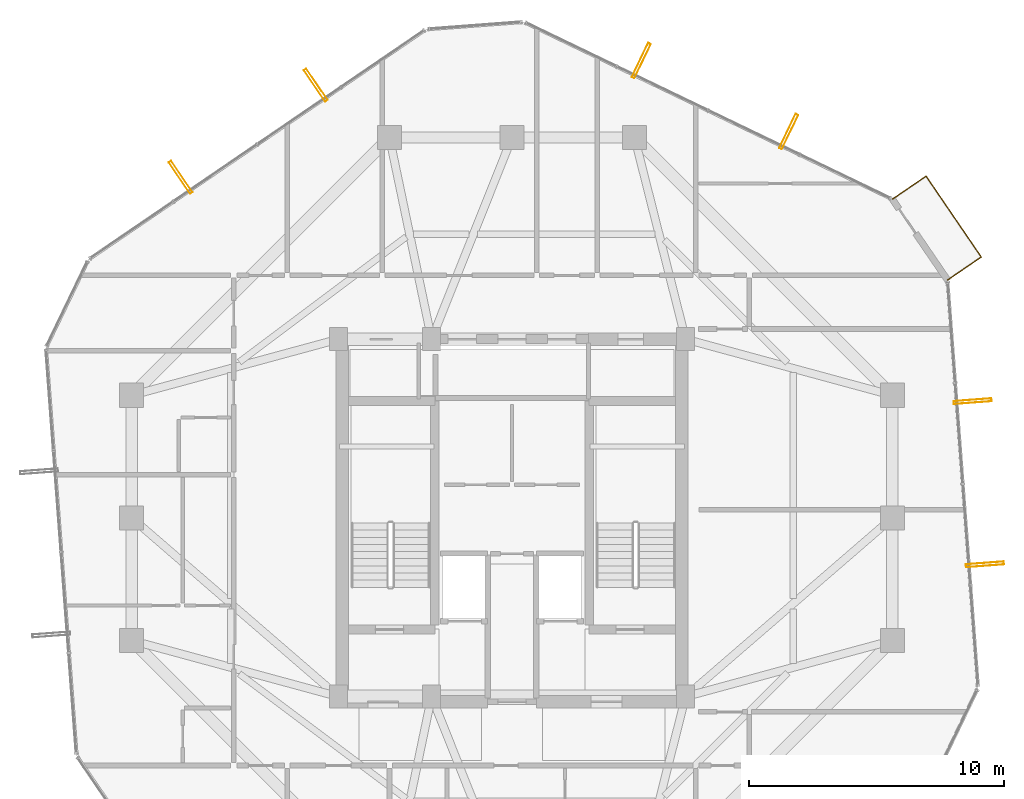
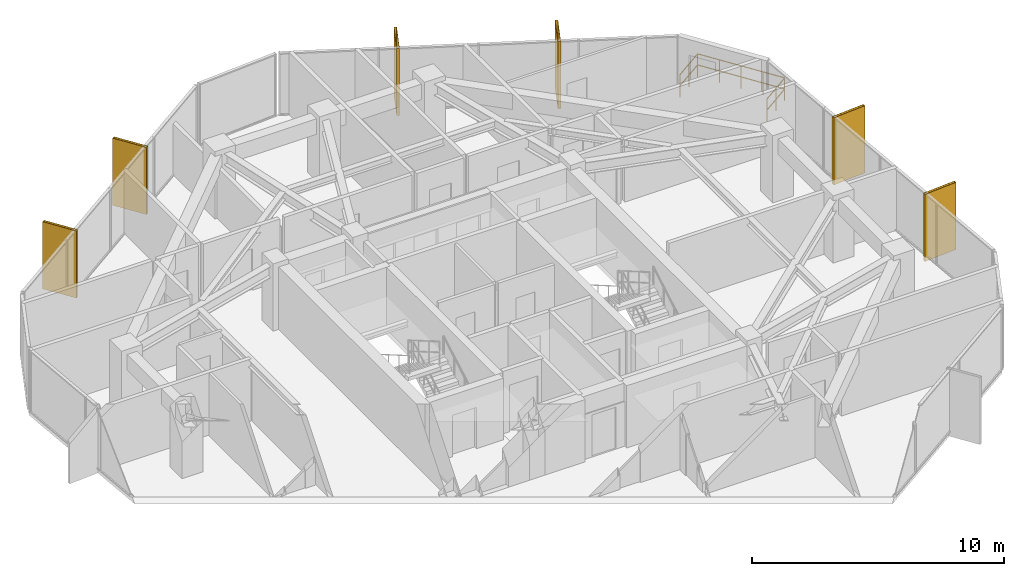
# One storey, part 34 of 34: 6 shading devices, 1 railing.
"""IFC4 building model written with IfcOpenShell, lengths in metres."""

from ifc_helpers import new_model, si_unit, direction, frame, origin, origin_2d, place, context, subcontext, project, spatial, hollow_rectangle, circle, extrude, material, material_profile, profile_set, type_object, element, save


model = new_model("IFC4")

# Units and contexts
model_context = context("Model", 3, precision=1e-05, world=origin(), true_north=direction((0.0, 1.0)))
body_context = subcontext(model_context, "Body", "Model", "MODEL_VIEW")
ifc_project = project(units=[si_unit("LENGTHUNIT", "METRE"), si_unit("AREAUNIT", "SQUARE_METRE"), si_unit("VOLUMEUNIT", "CUBIC_METRE"), si_unit("PLANEANGLEUNIT", "RADIAN"), si_unit("MASSUNIT", "GRAM", prefix="KILO")], contexts=[model_context])

# Site, building, storey
site_placement = place(None, origin())
site = spatial("IfcSite", under=ifc_project, at=site_placement, CompositionType="ELEMENT")
building_placement = place(site_placement, origin())
building = spatial("IfcBuilding", under=site, at=building_placement, Name="Veraguas Prism Commons", CompositionType="ELEMENT")
storey_placement = place(building_placement, frame((0.0, 0.0, 191.85009765625)))
storey = spatial("IfcBuildingStorey", under=building, at=storey_placement, Name="L54", CompositionType="ELEMENT", Elevation=191.85009765625)

# Shading devices
ifc_material_1 = material(Name="Anodised aluminium EN AW-6063 T6", Category="aluminium")
ifc_material_profile = material_profile(ifc_material_1, hollow_rectangle(XDim=0.1201171875, YDim=1.489990234375, WallThickness=0.006103515625, at=origin_2d()), Name="FIN120X1490X6")
ifc_profile_set = profile_set([ifc_material_profile], Name="Anodised aluminium EN AW-6063 T6")
shading_device_type = type_object("IfcShadingDeviceType", Name="Deep Pale-Metal Vertical Solar Fin 120x1490", PredefinedType="USERDEFINED", material=ifc_profile_set)
for number, where, z_axis, x_axis, name in (
    (1, (34.838623046875, 39.1318359375, -0.215087890625), (0.0, 0.0, 1.0), (-0.901075507561, 0.433662229937, 0.0), "Vertical Pale-Metal Solar Fin L54-F1A"),
    (2, (29.063720703125, 41.9111328125, -0.215087890625), (0.0, 0.0, 1.0), (-0.901075507561, 0.433662229937, 0.0), "Vertical Pale-Metal Solar Fin L54-F1B"),
    (3, (16.31494140625, 40.952392578125, -0.215087890625), (0.0, 0.0, 1.0), (-0.826097310956, -0.56352749075, 0.0), "Vertical Pale-Metal Solar Fin L54-F2A"),
    (4, (11.0205078125, 37.3408203125, -0.215087890625), (0.0, 0.0, 1.0), (-0.826097310956, -0.56352749075, 0.0), "Vertical Pale-Metal Solar Fin L54-F2B"),
    (5, (42.52392578125, 22.17919921875, -0.215087890625), (0.0, 0.0, 1.0), (-0.074975245993, 0.997185395244, 0.0), "Vertical Pale-Metal Solar Fin L54-F6A"),
    (6, (42.043212890625, 28.5703125, -0.215087890625), (0.0, 0.0, 1.0), (-0.074975245993, 0.997185395244, 0.0), "Vertical Pale-Metal Solar Fin L54-F6B"),
):
    element("IfcShadingDevice", number, at=place(storey_placement, frame(where, z_axis=z_axis, x_axis=x_axis)), inside=storey, type_object=shading_device_type, Name=name, ObjectType="FIN", PredefinedType="USERDEFINED", context=body_context, shape_type="SweptSolid", body=[
        extrude(hollow_rectangle(XDim=0.1201171875, YDim=1.489990234375, WallThickness=0.006103515625, at=origin_2d()), origin(), (0.0, 0.0, 1.0), 3.25),
    ])

# Railing
ifc_material_2 = material(Name="Stainless steel AISI 316", Category="steel")
railing_type = type_object("IfcRailingType", Name="Loggia and Sky Pool Glazed Balustrade 1120", PredefinedType="BALUSTRADE", material=ifc_material_2)
railing_placement = place(storey_placement, frame((41.059814453125, 33.316650390625, 0.0)))
element("IfcRailing", 7, at=railing_placement, inside=storey, type_object=railing_type, Name="Recessed Corner Loggia L54-C1 Guard", PredefinedType="BALUSTRADE", context=body_context, shape_type="SweptSolid", body=[
    extrude(circle(Radius=0.02392578125, at=origin_2d()), frame((0.0, 0.0, 1.09619140625), z_axis=(0.826062646737, 0.563578303048, 0.0), x_axis=(-0.563578303048, 0.826062646737, 0.0)), (0.0, 0.0, 1.0), 1.599853515625),
    extrude(circle(Radius=0.02392578125, at=origin_2d()), frame((0.0, 0.0, 0.56005859375), z_axis=(0.826062646737, 0.563578303048, 0.0), x_axis=(-0.563578303048, 0.826062646737, 0.0)), (0.0, 0.0, 1.0), 1.599853515625),
    extrude(circle(Radius=0.02392578125, at=origin_2d()), frame((1.321533203125, 0.901611328125, 1.09619140625), z_axis=(-0.563514631708, 0.826106082686, 0.0), x_axis=(-0.826106082686, -0.563514631708, 0.0)), (0.0, 0.0, 1.0), 3.834228515625),
    extrude(circle(Radius=0.02392578125, at=origin_2d()), frame((1.321533203125, 0.901611328125, 0.56005859375), z_axis=(-0.563514631708, 0.826106082686, 0.0), x_axis=(-0.826106082686, -0.563514631708, 0.0)), (0.0, 0.0, 1.0), 3.834228515625),
    extrude(circle(Radius=0.02392578125, at=origin_2d()), frame((-0.839111328125, 4.069091796875, 1.09619140625), z_axis=(-0.826111108741, -0.563507263498, 0.0), x_axis=(0.563507263498, -0.826111108741, 0.0)), (0.0, 0.0, 1.0), 1.60009765625),
    extrude(circle(Radius=0.02392578125, at=origin_2d()), frame((-0.839111328125, 4.069091796875, 0.56005859375), z_axis=(-0.826111108741, -0.563507263498, 0.0), x_axis=(0.563507263498, -0.826111108741, 0.0)), (0.0, 0.0, 1.0), 1.60009765625),
    extrude(circle(Radius=0.02099609375, at=origin_2d()), origin(), (0.0, 0.0, 1.0), 1.072021484375),
    extrude(circle(Radius=0.02099609375, at=origin_2d()), frame((0.66064453125, 0.45068359375, 0.0)), (0.0, 0.0, 1.0), 1.072021484375),
    extrude(circle(Radius=0.02099609375, at=origin_2d()), frame((1.321533203125, 0.901611328125, 0.0)), (0.0, 0.0, 1.0), 1.072021484375),
    extrude(circle(Radius=0.02099609375, at=origin_2d()), frame((0.78125, 1.693359375, 0.0)), (0.0, 0.0, 1.0), 1.072021484375),
    extrude(circle(Radius=0.02099609375, at=origin_2d()), frame((0.2412109375, 2.4853515625, 0.0)), (0.0, 0.0, 1.0), 1.072021484375),
    extrude(circle(Radius=0.02099609375, at=origin_2d()), frame((-0.298828125, 3.27734375, 0.0)), (0.0, 0.0, 1.0), 1.072021484375),
    extrude(circle(Radius=0.02099609375, at=origin_2d()), frame((-0.839111328125, 4.069091796875, 0.0)), (0.0, 0.0, 1.0), 1.072021484375),
    extrude(circle(Radius=0.02099609375, at=origin_2d()), frame((-1.5, 3.6181640625, 0.0)), (0.0, 0.0, 1.0), 1.072021484375),
    extrude(circle(Radius=0.02099609375, at=origin_2d()), frame((-2.160888671875, 3.16748046875, 0.0)), (0.0, 0.0, 1.0), 1.072021484375),
])

save(model, "model.ifc")
